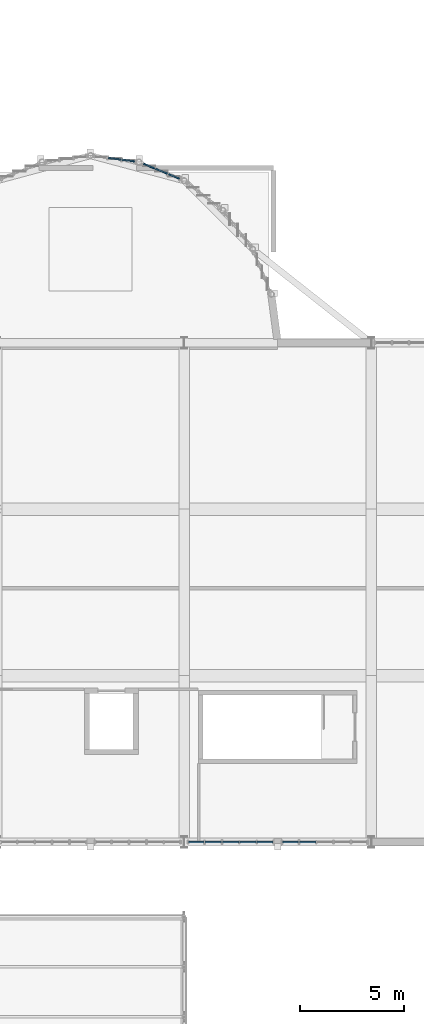
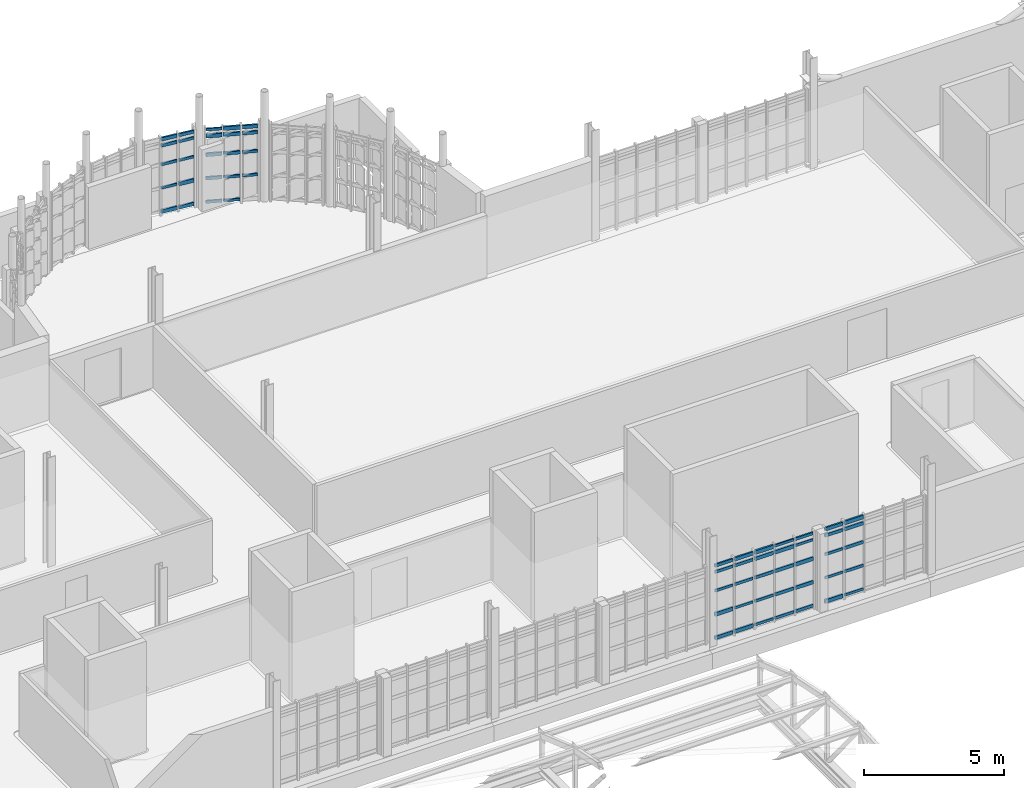
# One storey, part 67 of 128: 59 members, 4 elements without a shape of their own.
"""IFC4 building model written with IfcOpenShell, lengths in metres."""

from ifc_helpers import new_model, si_unit, direction, frame, origin, origin_2d, place, context, subcontext, project, spatial, rectangle, extrude, material, material_profile, profile_set, type_object, element, aggregate, save


model = new_model("IFC4")

# Units and contexts
model_context = context("Model", 3, precision=1e-05, world=origin(), true_north=direction((0.0, 1.0)))
body_context = subcontext(model_context, "Body", "Model", "MODEL_VIEW")
ifc_project = project(units=[si_unit("LENGTHUNIT", "METRE"), si_unit("AREAUNIT", "SQUARE_METRE"), si_unit("VOLUMEUNIT", "CUBIC_METRE"), si_unit("PLANEANGLEUNIT", "RADIAN"), si_unit("MASSUNIT", "GRAM", prefix="KILO")], contexts=[model_context])

# Site, building, storey
site_placement = place(None, origin())
site = spatial("IfcSite", under=ifc_project, at=site_placement, CompositionType="ELEMENT")
building_placement = place(site_placement, origin())
building = spatial("IfcBuilding", under=site, at=building_placement, Name="Serraforn Aerial Cableway Station", CompositionType="ELEMENT")
storey_placement = place(building_placement, frame((0.0, 0.0, 9.0)))
storey = spatial("IfcBuildingStorey", under=building, at=storey_placement, Name="L02", CompositionType="ELEMENT", Elevation=9.0)

# Curtain wall, members
ifc_material_1 = material(Name="Anodised bronze unitised curtain wall")
curtain_wall_type_1 = type_object("IfcCurtainWallType", Name="CW-SYS-23", PredefinedType="USERDEFINED", material=ifc_material_1)
curtain_wall_1_placement = place(storey_placement, origin())
curtain_wall_1 = element("IfcCurtainWall", 1, at=curtain_wall_1_placement, inside=storey, type_object=curtain_wall_type_1, Name="Unitised Curtain Wall CW-CV-L02-S5A", ObjectType="UNITISED CURTAIN WALL", PredefinedType="USERDEFINED")
ifc_material_2 = material(Name="Anodised bronze extruded aluminium", Category="aluminium")
ifc_material_profile_1 = material_profile(ifc_material_2, rectangle(XDim=0.054931640625, YDim=0.110107421875, at=origin_2d()), Name="CW TRANSOM 55x110")
ifc_profile_set_1 = profile_set([ifc_material_profile_1], Name="Anodised bronze extruded aluminium")
member_type_1 = type_object("IfcMemberType", Name="CW-TRN-1", PredefinedType="USERDEFINED", material=ifc_profile_set_1)
member_1_placement = place(storey_placement, frame((63.81103515625, 18.0, 2.188720703125), z_axis=(1.0, 0.0, 0.0), x_axis=(0.0, 1.0, 0.0)))
member_1 = element("IfcMember", 2, at=member_1_placement, type_object=member_type_1, Name="Curtain Wall Transom CW-CV-L02-S5A-T1-3", ObjectType="TRANSOM", PredefinedType="USERDEFINED", context=body_context, shape_type="SweptSolid", body=[
    extrude(rectangle(XDim=0.054931640625, YDim=0.110107421875, at=origin_2d()), origin(), (0.0, 0.0, 1.0), 0.73828125),
])
member_2_placement = place(storey_placement, frame((64.615478515625, 18.0, 1.162841796875), z_axis=(1.0, 0.0, 0.0), x_axis=(0.0, 1.0, 0.0)))
member_2 = element("IfcMember", 3, at=member_2_placement, type_object=member_type_1, Name="Curtain Wall Transom CW-CV-L02-S5A-T2-2", ObjectType="TRANSOM", PredefinedType="USERDEFINED", context=body_context, shape_type="SweptSolid", body=[
    extrude(rectangle(XDim=0.054931640625, YDim=0.110107421875, at=origin_2d()), origin(), (0.0, 0.0, 1.0), 0.765869140625),
])
member_3_placement = place(storey_placement, frame((65.452392578125, 18.0, 0.13671875), z_axis=(1.0, 0.0, 0.0), x_axis=(0.0, 1.0, 0.0)))
member_3 = element("IfcMember", 4, at=member_3_placement, type_object=member_type_1, Name="Curtain Wall Transom CW-CV-L02-S5A-T3-1", ObjectType="TRANSOM", PredefinedType="USERDEFINED", context=body_context, shape_type="SweptSolid", body=[
    extrude(rectangle(XDim=0.054931640625, YDim=0.110107421875, at=origin_2d()), origin(), (0.0, 0.0, 1.0), 0.773193359375),
])
member_4_placement = place(storey_placement, frame((66.276611328125, 18.0, 3.283203125), z_axis=(1.0, 0.0, 0.0), x_axis=(0.0, 1.0, 0.0)))
member_4 = element("IfcMember", 5, at=member_4_placement, type_object=member_type_1, Name="Curtain Wall Transom CW-CV-L02-S5A-T4-5", ObjectType="TRANSOM", PredefinedType="USERDEFINED", context=body_context, shape_type="SweptSolid", body=[
    extrude(rectangle(XDim=0.054931640625, YDim=0.110107421875, at=origin_2d()), origin(), (0.0, 0.0, 1.0), 0.781005859375),
])
member_5_placement = place(storey_placement, frame((67.113525390625, 18.0, 3.009521484375), z_axis=(1.0, 0.0, 0.0), x_axis=(0.0, 1.0, 0.0)))
member_5 = element("IfcMember", 6, at=member_5_placement, type_object=member_type_1, Name="Curtain Wall Transom CW-CV-L02-S5A-T5-4", ObjectType="TRANSOM", PredefinedType="USERDEFINED", context=body_context, shape_type="SweptSolid", body=[
    extrude(rectangle(XDim=0.054931640625, YDim=0.110107421875, at=origin_2d()), origin(), (0.0, 0.0, 1.0), 0.743408203125),
])

curtain_wall_type_2 = type_object("IfcCurtainWallType", Name="CW-SYS-24", PredefinedType="USERDEFINED", material=ifc_material_1)
curtain_wall_2_placement = place(storey_placement, origin())
curtain_wall_2 = element("IfcCurtainWall", 7, at=curtain_wall_2_placement, inside=storey, type_object=curtain_wall_type_2, Name="Unitised Curtain Wall CW-CV-L02-S5B", ObjectType="UNITISED CURTAIN WALL", PredefinedType="USERDEFINED")
member_6_placement = place(storey_placement, frame((68.347900390625, 18.0, 1.162841796875), z_axis=(1.0, 0.0, 0.0), x_axis=(0.0, 1.0, 0.0)))
member_6 = element("IfcMember", 8, at=member_6_placement, type_object=member_type_1, Name="Curtain Wall Transom CW-CV-L02-S5B-T1-2", ObjectType="TRANSOM", PredefinedType="USERDEFINED", context=body_context, shape_type="SweptSolid", body=[
    extrude(rectangle(XDim=0.054931640625, YDim=0.110107421875, at=origin_2d()), origin(), (0.0, 0.0, 1.0), 0.73095703125),
])
member_7_placement = place(storey_placement, frame((69.14990234375, 18.0, 0.13671875), z_axis=(1.0, 0.0, 0.0), x_axis=(0.0, 1.0, 0.0)))
member_7 = element("IfcMember", 9, at=member_7_placement, type_object=member_type_1, Name="Curtain Wall Transom CW-CV-L02-S5B-T2-1", ObjectType="TRANSOM", PredefinedType="USERDEFINED", context=body_context, shape_type="SweptSolid", body=[
    extrude(rectangle(XDim=0.054931640625, YDim=0.110107421875, at=origin_2d()), origin(), (0.0, 0.0, 1.0), 0.7734375),
])

curtain_wall_type_3 = type_object("IfcCurtainWallType", Name="CW-SYS-10", PredefinedType="USERDEFINED", material=ifc_material_1)
curtain_wall_3_placement = place(storey_placement, origin())
curtain_wall_3 = element("IfcCurtainWall", 10, at=curtain_wall_3_placement, inside=storey, type_object=curtain_wall_type_3, Name="Unitised Curtain Wall CW-AP-L02-R7", ObjectType="UNITISED CURTAIN WALL", PredefinedType="USERDEFINED")
member_8_placement = place(storey_placement, frame((61.217041015625, 50.72119140625, 2.188720703125), z_axis=(-0.991415987293, 0.130745325498, 0.0), x_axis=(-0.130745325498, -0.991415987293, 0.0)))
member_8 = element("IfcMember", 11, at=member_8_placement, type_object=member_type_1, Name="Curtain Wall Transom CW-AP-L02-R7-T1-3", ObjectType="TRANSOM", PredefinedType="USERDEFINED", context=body_context, shape_type="SweptSolid", body=[
    extrude(rectangle(XDim=0.054931640625, YDim=0.110107421875, at=origin_2d()), origin(), (0.0, 0.0, 1.0), 0.58642578125),
])
member_9_placement = place(storey_placement, frame((60.5703125, 50.806396484375, 1.162841796875), z_axis=(-0.991404140861, 0.130835123282, 0.0), x_axis=(-0.130835123282, -0.991404140861, 0.0)))
member_9 = element("IfcMember", 12, at=member_9_placement, type_object=member_type_1, Name="Curtain Wall Transom CW-AP-L02-R7-T2-2", ObjectType="TRANSOM", PredefinedType="USERDEFINED", context=body_context, shape_type="SweptSolid", body=[
    extrude(rectangle(XDim=0.054931640625, YDim=0.110107421875, at=origin_2d()), origin(), (0.0, 0.0, 1.0), 0.614013671875),
])

curtain_wall_type_4 = type_object("IfcCurtainWallType", Name="CW-SYS-11", PredefinedType="USERDEFINED", material=ifc_material_1)
curtain_wall_4_placement = place(storey_placement, origin())
curtain_wall_4 = element("IfcCurtainWall", 13, at=curtain_wall_4_placement, inside=storey, type_object=curtain_wall_type_4, Name="Unitised Curtain Wall CW-AP-L02-R8", ObjectType="UNITISED CURTAIN WALL", PredefinedType="USERDEFINED")
member_10_placement = place(storey_placement, frame((63.374267578125, 49.8876953125, 1.162841796875), z_axis=(-0.923884484618, 0.382671476703, 0.0), x_axis=(-0.382671476703, -0.923884484618, 0.0)))
member_10 = element("IfcMember", 14, at=member_10_placement, type_object=member_type_1, Name="Curtain Wall Transom CW-AP-L02-R8-T1-2", ObjectType="TRANSOM", PredefinedType="USERDEFINED", context=body_context, shape_type="SweptSolid", body=[
    extrude(rectangle(XDim=0.054931640625, YDim=0.110107421875, at=origin_2d()), origin(), (0.0, 0.0, 1.0), 0.56201171875),
])
member_11_placement = place(storey_placement, frame((62.789306640625, 50.1298828125, 0.13671875), z_axis=(-0.923839645741, 0.382779713358, 0.0), x_axis=(-0.382779713358, -0.923839645741, 0.0)))
member_11 = element("IfcMember", 15, at=member_11_placement, type_object=member_type_1, Name="Curtain Wall Transom CW-AP-L02-R8-T2-1", ObjectType="TRANSOM", PredefinedType="USERDEFINED", context=body_context, shape_type="SweptSolid", body=[
    extrude(rectangle(XDim=0.054931640625, YDim=0.110107421875, at=origin_2d()), origin(), (0.0, 0.0, 1.0), 0.604736328125),
])
member_12_placement = place(storey_placement, frame((62.18359375, 50.380859375, 3.283203125), z_axis=(-0.923894108428, 0.382648241093, 0.0), x_axis=(-0.382648241093, -0.923894108428, 0.0)))
member_12 = element("IfcMember", 16, at=member_12_placement, type_object=member_type_1, Name="Curtain Wall Transom CW-AP-L02-R8-T3-5", ObjectType="TRANSOM", PredefinedType="USERDEFINED", context=body_context, shape_type="SweptSolid", body=[
    extrude(rectangle(XDim=0.054931640625, YDim=0.110107421875, at=origin_2d()), origin(), (0.0, 0.0, 1.0), 0.581787109375),
])

# Member
ifc_material_profile_2 = material_profile(ifc_material_2, rectangle(XDim=0.06005859375, YDim=0.1201171875, at=origin_2d()), Name="CW TRANSOM 60x120")
ifc_profile_set_2 = profile_set([ifc_material_profile_2], Name="Anodised bronze extruded aluminium")
member_type_2 = type_object("IfcMemberType", Name="CW-TRN-2", PredefinedType="USERDEFINED", material=ifc_profile_set_2)
member_13_placement = place(storey_placement, frame((63.81103515625, 18.0, 3.009521484375), z_axis=(1.0, 0.0, 0.0), x_axis=(0.0, 1.0, 0.0)))
member_13 = element("IfcMember", 17, at=member_13_placement, type_object=member_type_2, Name="Curtain Wall Transom CW-CV-L02-S5A-T1-4", ObjectType="TRANSOM", PredefinedType="USERDEFINED", context=body_context, shape_type="SweptSolid", body=[
    extrude(rectangle(XDim=0.06005859375, YDim=0.1201171875, at=origin_2d()), origin(), (0.0, 0.0, 1.0), 0.73828125),
])

member_14_placement = place(storey_placement, frame((64.615478515625, 18.0, 2.188720703125), z_axis=(1.0, 0.0, 0.0), x_axis=(0.0, 1.0, 0.0)))
member_14 = element("IfcMember", 18, at=member_14_placement, type_object=member_type_2, Name="Curtain Wall Transom CW-CV-L02-S5A-T2-3", ObjectType="TRANSOM", PredefinedType="USERDEFINED", context=body_context, shape_type="SweptSolid", body=[
    extrude(rectangle(XDim=0.06005859375, YDim=0.1201171875, at=origin_2d()), origin(), (0.0, 0.0, 1.0), 0.765869140625),
])

member_15_placement = place(storey_placement, frame((65.452392578125, 18.0, 1.162841796875), z_axis=(1.0, 0.0, 0.0), x_axis=(0.0, 1.0, 0.0)))
member_15 = element("IfcMember", 19, at=member_15_placement, type_object=member_type_2, Name="Curtain Wall Transom CW-CV-L02-S5A-T3-2", ObjectType="TRANSOM", PredefinedType="USERDEFINED", context=body_context, shape_type="SweptSolid", body=[
    extrude(rectangle(XDim=0.06005859375, YDim=0.1201171875, at=origin_2d()), origin(), (0.0, 0.0, 1.0), 0.773193359375),
])

member_16_placement = place(storey_placement, frame((66.276611328125, 18.0, 0.13671875), z_axis=(1.0, 0.0, 0.0), x_axis=(0.0, 1.0, 0.0)))
member_16 = element("IfcMember", 20, at=member_16_placement, type_object=member_type_2, Name="Curtain Wall Transom CW-CV-L02-S5A-T4-1", ObjectType="TRANSOM", PredefinedType="USERDEFINED", context=body_context, shape_type="SweptSolid", body=[
    extrude(rectangle(XDim=0.06005859375, YDim=0.1201171875, at=origin_2d()), origin(), (0.0, 0.0, 1.0), 0.781005859375),
])

member_17_placement = place(storey_placement, frame((67.113525390625, 18.0, 3.283203125), z_axis=(1.0, 0.0, 0.0), x_axis=(0.0, 1.0, 0.0)))
member_17 = element("IfcMember", 21, at=member_17_placement, type_object=member_type_2, Name="Curtain Wall Transom CW-CV-L02-S5A-T5-5", ObjectType="TRANSOM", PredefinedType="USERDEFINED", context=body_context, shape_type="SweptSolid", body=[
    extrude(rectangle(XDim=0.06005859375, YDim=0.1201171875, at=origin_2d()), origin(), (0.0, 0.0, 1.0), 0.743408203125),
])

member_18_placement = place(storey_placement, frame((68.347900390625, 18.0, 2.188720703125), z_axis=(1.0, 0.0, 0.0), x_axis=(0.0, 1.0, 0.0)))
member_18 = element("IfcMember", 22, at=member_18_placement, type_object=member_type_2, Name="Curtain Wall Transom CW-CV-L02-S5B-T1-3", ObjectType="TRANSOM", PredefinedType="USERDEFINED", context=body_context, shape_type="SweptSolid", body=[
    extrude(rectangle(XDim=0.06005859375, YDim=0.1201171875, at=origin_2d()), origin(), (0.0, 0.0, 1.0), 0.73095703125),
])

member_19_placement = place(storey_placement, frame((69.14990234375, 18.0, 1.162841796875), z_axis=(1.0, 0.0, 0.0), x_axis=(0.0, 1.0, 0.0)))
member_19 = element("IfcMember", 23, at=member_19_placement, type_object=member_type_2, Name="Curtain Wall Transom CW-CV-L02-S5B-T2-2", ObjectType="TRANSOM", PredefinedType="USERDEFINED", context=body_context, shape_type="SweptSolid", body=[
    extrude(rectangle(XDim=0.06005859375, YDim=0.1201171875, at=origin_2d()), origin(), (0.0, 0.0, 1.0), 0.7734375),
])

member_20_placement = place(storey_placement, frame((61.217041015625, 50.72119140625, 3.009521484375), z_axis=(-0.991415987293, 0.130745325498, 0.0), x_axis=(-0.130745325498, -0.991415987293, 0.0)))
member_20 = element("IfcMember", 24, at=member_20_placement, type_object=member_type_2, Name="Curtain Wall Transom CW-AP-L02-R7-T1-4", ObjectType="TRANSOM", PredefinedType="USERDEFINED", context=body_context, shape_type="SweptSolid", body=[
    extrude(rectangle(XDim=0.06005859375, YDim=0.1201171875, at=origin_2d()), origin(), (0.0, 0.0, 1.0), 0.58642578125),
])

member_21_placement = place(storey_placement, frame((60.5703125, 50.806396484375, 2.188720703125), z_axis=(-0.991404140861, 0.130835123282, 0.0), x_axis=(-0.130835123282, -0.991404140861, 0.0)))
member_21 = element("IfcMember", 25, at=member_21_placement, type_object=member_type_2, Name="Curtain Wall Transom CW-AP-L02-R7-T2-3", ObjectType="TRANSOM", PredefinedType="USERDEFINED", context=body_context, shape_type="SweptSolid", body=[
    extrude(rectangle(XDim=0.06005859375, YDim=0.1201171875, at=origin_2d()), origin(), (0.0, 0.0, 1.0), 0.614013671875),
])

member_22_placement = place(storey_placement, frame((63.374267578125, 49.8876953125, 2.188720703125), z_axis=(-0.923884484618, 0.382671476703, 0.0), x_axis=(-0.382671476703, -0.923884484618, 0.0)))
member_22 = element("IfcMember", 26, at=member_22_placement, type_object=member_type_2, Name="Curtain Wall Transom CW-AP-L02-R8-T1-3", ObjectType="TRANSOM", PredefinedType="USERDEFINED", context=body_context, shape_type="SweptSolid", body=[
    extrude(rectangle(XDim=0.06005859375, YDim=0.1201171875, at=origin_2d()), origin(), (0.0, 0.0, 1.0), 0.56201171875),
])

member_23_placement = place(storey_placement, frame((62.789306640625, 50.1298828125, 1.162841796875), z_axis=(-0.923839645741, 0.382779713358, 0.0), x_axis=(-0.382779713358, -0.923839645741, 0.0)))
member_23 = element("IfcMember", 27, at=member_23_placement, type_object=member_type_2, Name="Curtain Wall Transom CW-AP-L02-R8-T2-2", ObjectType="TRANSOM", PredefinedType="USERDEFINED", context=body_context, shape_type="SweptSolid", body=[
    extrude(rectangle(XDim=0.06005859375, YDim=0.1201171875, at=origin_2d()), origin(), (0.0, 0.0, 1.0), 0.604736328125),
])

member_24_placement = place(storey_placement, frame((62.18359375, 50.380859375, 0.13671875), z_axis=(-0.923894108428, 0.382648241093, 0.0), x_axis=(-0.382648241093, -0.923894108428, 0.0)))
member_24 = element("IfcMember", 28, at=member_24_placement, type_object=member_type_2, Name="Curtain Wall Transom CW-AP-L02-R8-T3-1", ObjectType="TRANSOM", PredefinedType="USERDEFINED", context=body_context, shape_type="SweptSolid", body=[
    extrude(rectangle(XDim=0.06005859375, YDim=0.1201171875, at=origin_2d()), origin(), (0.0, 0.0, 1.0), 0.581787109375),
])

ifc_material_profile_3 = material_profile(ifc_material_2, rectangle(XDim=0.06494140625, YDim=0.135009765625, at=origin_2d()), Name="CW TRANSOM 65x135")
ifc_profile_set_3 = profile_set([ifc_material_profile_3], Name="Anodised bronze extruded aluminium")
member_type_3 = type_object("IfcMemberType", Name="CW-TRN-3", PredefinedType="USERDEFINED", material=ifc_profile_set_3)
member_25_placement = place(storey_placement, frame((63.81103515625, 18.0, 3.283203125), z_axis=(1.0, 0.0, 0.0), x_axis=(0.0, 1.0, 0.0)))
member_25 = element("IfcMember", 29, at=member_25_placement, type_object=member_type_3, Name="Curtain Wall Transom CW-CV-L02-S5A-T1-5", ObjectType="TRANSOM", PredefinedType="USERDEFINED", context=body_context, shape_type="SweptSolid", body=[
    extrude(rectangle(XDim=0.06494140625, YDim=0.135009765625, at=origin_2d()), origin(), (0.0, 0.0, 1.0), 0.73828125),
])

member_26_placement = place(storey_placement, frame((64.615478515625, 18.0, 3.009521484375), z_axis=(1.0, 0.0, 0.0), x_axis=(0.0, 1.0, 0.0)))
member_26 = element("IfcMember", 30, at=member_26_placement, type_object=member_type_3, Name="Curtain Wall Transom CW-CV-L02-S5A-T2-4", ObjectType="TRANSOM", PredefinedType="USERDEFINED", context=body_context, shape_type="SweptSolid", body=[
    extrude(rectangle(XDim=0.06494140625, YDim=0.135009765625, at=origin_2d()), origin(), (0.0, 0.0, 1.0), 0.765869140625),
])

member_27_placement = place(storey_placement, frame((65.452392578125, 18.0, 2.188720703125), z_axis=(1.0, 0.0, 0.0), x_axis=(0.0, 1.0, 0.0)))
member_27 = element("IfcMember", 31, at=member_27_placement, type_object=member_type_3, Name="Curtain Wall Transom CW-CV-L02-S5A-T3-3", ObjectType="TRANSOM", PredefinedType="USERDEFINED", context=body_context, shape_type="SweptSolid", body=[
    extrude(rectangle(XDim=0.06494140625, YDim=0.135009765625, at=origin_2d()), origin(), (0.0, 0.0, 1.0), 0.773193359375),
])

member_28_placement = place(storey_placement, frame((66.276611328125, 18.0, 1.162841796875), z_axis=(1.0, 0.0, 0.0), x_axis=(0.0, 1.0, 0.0)))
member_28 = element("IfcMember", 32, at=member_28_placement, type_object=member_type_3, Name="Curtain Wall Transom CW-CV-L02-S5A-T4-2", ObjectType="TRANSOM", PredefinedType="USERDEFINED", context=body_context, shape_type="SweptSolid", body=[
    extrude(rectangle(XDim=0.06494140625, YDim=0.135009765625, at=origin_2d()), origin(), (0.0, 0.0, 1.0), 0.781005859375),
])

member_29_placement = place(storey_placement, frame((67.113525390625, 18.0, 0.13671875), z_axis=(1.0, 0.0, 0.0), x_axis=(0.0, 1.0, 0.0)))
member_29 = element("IfcMember", 33, at=member_29_placement, type_object=member_type_3, Name="Curtain Wall Transom CW-CV-L02-S5A-T5-1", ObjectType="TRANSOM", PredefinedType="USERDEFINED", context=body_context, shape_type="SweptSolid", body=[
    extrude(rectangle(XDim=0.06494140625, YDim=0.135009765625, at=origin_2d()), origin(), (0.0, 0.0, 1.0), 0.743408203125),
])

member_30_placement = place(storey_placement, frame((68.347900390625, 18.0, 3.009521484375), z_axis=(1.0, 0.0, 0.0), x_axis=(0.0, 1.0, 0.0)))
member_30 = element("IfcMember", 34, at=member_30_placement, type_object=member_type_3, Name="Curtain Wall Transom CW-CV-L02-S5B-T1-4", ObjectType="TRANSOM", PredefinedType="USERDEFINED", context=body_context, shape_type="SweptSolid", body=[
    extrude(rectangle(XDim=0.06494140625, YDim=0.135009765625, at=origin_2d()), origin(), (0.0, 0.0, 1.0), 0.73095703125),
])

member_31_placement = place(storey_placement, frame((69.14990234375, 18.0, 2.188720703125), z_axis=(1.0, 0.0, 0.0), x_axis=(0.0, 1.0, 0.0)))
member_31 = element("IfcMember", 35, at=member_31_placement, type_object=member_type_3, Name="Curtain Wall Transom CW-CV-L02-S5B-T2-3", ObjectType="TRANSOM", PredefinedType="USERDEFINED", context=body_context, shape_type="SweptSolid", body=[
    extrude(rectangle(XDim=0.06494140625, YDim=0.135009765625, at=origin_2d()), origin(), (0.0, 0.0, 1.0), 0.7734375),
])

member_32_placement = place(storey_placement, frame((61.217041015625, 50.72119140625, 3.283203125), z_axis=(-0.991415987293, 0.130745325498, 0.0), x_axis=(-0.130745325498, -0.991415987293, 0.0)))
member_32 = element("IfcMember", 36, at=member_32_placement, type_object=member_type_3, Name="Curtain Wall Transom CW-AP-L02-R7-T1-5", ObjectType="TRANSOM", PredefinedType="USERDEFINED", context=body_context, shape_type="SweptSolid", body=[
    extrude(rectangle(XDim=0.06494140625, YDim=0.135009765625, at=origin_2d()), origin(), (0.0, 0.0, 1.0), 0.58642578125),
])

member_33_placement = place(storey_placement, frame((60.5703125, 50.806396484375, 3.009521484375), z_axis=(-0.991404140861, 0.130835123282, 0.0), x_axis=(-0.130835123282, -0.991404140861, 0.0)))
member_33 = element("IfcMember", 37, at=member_33_placement, type_object=member_type_3, Name="Curtain Wall Transom CW-AP-L02-R7-T2-4", ObjectType="TRANSOM", PredefinedType="USERDEFINED", context=body_context, shape_type="SweptSolid", body=[
    extrude(rectangle(XDim=0.06494140625, YDim=0.135009765625, at=origin_2d()), origin(), (0.0, 0.0, 1.0), 0.614013671875),
])

member_34_placement = place(storey_placement, frame((63.374267578125, 49.8876953125, 3.009521484375), z_axis=(-0.923884484618, 0.382671476703, 0.0), x_axis=(-0.382671476703, -0.923884484618, 0.0)))
member_34 = element("IfcMember", 38, at=member_34_placement, type_object=member_type_3, Name="Curtain Wall Transom CW-AP-L02-R8-T1-4", ObjectType="TRANSOM", PredefinedType="USERDEFINED", context=body_context, shape_type="SweptSolid", body=[
    extrude(rectangle(XDim=0.06494140625, YDim=0.135009765625, at=origin_2d()), origin(), (0.0, 0.0, 1.0), 0.56201171875),
])

member_35_placement = place(storey_placement, frame((62.789306640625, 50.1298828125, 2.188720703125), z_axis=(-0.923839645741, 0.382779713358, 0.0), x_axis=(-0.382779713358, -0.923839645741, 0.0)))
member_35 = element("IfcMember", 39, at=member_35_placement, type_object=member_type_3, Name="Curtain Wall Transom CW-AP-L02-R8-T2-3", ObjectType="TRANSOM", PredefinedType="USERDEFINED", context=body_context, shape_type="SweptSolid", body=[
    extrude(rectangle(XDim=0.06494140625, YDim=0.135009765625, at=origin_2d()), origin(), (0.0, 0.0, 1.0), 0.604736328125),
])

member_36_placement = place(storey_placement, frame((62.18359375, 50.380859375, 1.162841796875), z_axis=(-0.923894108428, 0.382648241093, 0.0), x_axis=(-0.382648241093, -0.923894108428, 0.0)))
member_36 = element("IfcMember", 40, at=member_36_placement, type_object=member_type_3, Name="Curtain Wall Transom CW-AP-L02-R8-T3-2", ObjectType="TRANSOM", PredefinedType="USERDEFINED", context=body_context, shape_type="SweptSolid", body=[
    extrude(rectangle(XDim=0.06494140625, YDim=0.135009765625, at=origin_2d()), origin(), (0.0, 0.0, 1.0), 0.581787109375),
])

ifc_material_profile_4 = material_profile(ifc_material_2, rectangle(XDim=0.070068359375, YDim=0.14990234375, at=origin_2d()), Name="CW TRANSOM 70x150")
ifc_profile_set_4 = profile_set([ifc_material_profile_4], Name="Anodised bronze extruded aluminium")
member_type_4 = type_object("IfcMemberType", Name="CW-TRN-4", PredefinedType="USERDEFINED", material=ifc_profile_set_4)
member_37_placement = place(storey_placement, frame((63.81103515625, 18.0, 0.13671875), z_axis=(1.0, 0.0, 0.0), x_axis=(0.0, 1.0, 0.0)))
member_37 = element("IfcMember", 41, at=member_37_placement, type_object=member_type_4, Name="Curtain Wall Transom CW-CV-L02-S5A-T1-1", ObjectType="TRANSOM", PredefinedType="USERDEFINED", context=body_context, shape_type="SweptSolid", body=[
    extrude(rectangle(XDim=0.070068359375, YDim=0.14990234375, at=origin_2d()), origin(), (0.0, 0.0, 1.0), 0.73828125),
])

member_38_placement = place(storey_placement, frame((64.615478515625, 18.0, 3.283203125), z_axis=(1.0, 0.0, 0.0), x_axis=(0.0, 1.0, 0.0)))
member_38 = element("IfcMember", 42, at=member_38_placement, type_object=member_type_4, Name="Curtain Wall Transom CW-CV-L02-S5A-T2-5", ObjectType="TRANSOM", PredefinedType="USERDEFINED", context=body_context, shape_type="SweptSolid", body=[
    extrude(rectangle(XDim=0.070068359375, YDim=0.14990234375, at=origin_2d()), origin(), (0.0, 0.0, 1.0), 0.765869140625),
])

member_39_placement = place(storey_placement, frame((65.452392578125, 18.0, 3.009521484375), z_axis=(1.0, 0.0, 0.0), x_axis=(0.0, 1.0, 0.0)))
member_39 = element("IfcMember", 43, at=member_39_placement, type_object=member_type_4, Name="Curtain Wall Transom CW-CV-L02-S5A-T3-4", ObjectType="TRANSOM", PredefinedType="USERDEFINED", context=body_context, shape_type="SweptSolid", body=[
    extrude(rectangle(XDim=0.070068359375, YDim=0.14990234375, at=origin_2d()), origin(), (0.0, 0.0, 1.0), 0.773193359375),
])

member_40_placement = place(storey_placement, frame((66.276611328125, 18.0, 2.188720703125), z_axis=(1.0, 0.0, 0.0), x_axis=(0.0, 1.0, 0.0)))
member_40 = element("IfcMember", 44, at=member_40_placement, type_object=member_type_4, Name="Curtain Wall Transom CW-CV-L02-S5A-T4-3", ObjectType="TRANSOM", PredefinedType="USERDEFINED", context=body_context, shape_type="SweptSolid", body=[
    extrude(rectangle(XDim=0.070068359375, YDim=0.14990234375, at=origin_2d()), origin(), (0.0, 0.0, 1.0), 0.781005859375),
])

member_41_placement = place(storey_placement, frame((67.113525390625, 18.0, 1.162841796875), z_axis=(1.0, 0.0, 0.0), x_axis=(0.0, 1.0, 0.0)))
member_41 = element("IfcMember", 45, at=member_41_placement, type_object=member_type_4, Name="Curtain Wall Transom CW-CV-L02-S5A-T5-2", ObjectType="TRANSOM", PredefinedType="USERDEFINED", context=body_context, shape_type="SweptSolid", body=[
    extrude(rectangle(XDim=0.070068359375, YDim=0.14990234375, at=origin_2d()), origin(), (0.0, 0.0, 1.0), 0.743408203125),
])

member_42_placement = place(storey_placement, frame((68.347900390625, 18.0, 3.283203125), z_axis=(1.0, 0.0, 0.0), x_axis=(0.0, 1.0, 0.0)))
member_42 = element("IfcMember", 46, at=member_42_placement, type_object=member_type_4, Name="Curtain Wall Transom CW-CV-L02-S5B-T1-5", ObjectType="TRANSOM", PredefinedType="USERDEFINED", context=body_context, shape_type="SweptSolid", body=[
    extrude(rectangle(XDim=0.070068359375, YDim=0.14990234375, at=origin_2d()), origin(), (0.0, 0.0, 1.0), 0.73095703125),
])

member_43_placement = place(storey_placement, frame((69.14990234375, 18.0, 3.009521484375), z_axis=(1.0, 0.0, 0.0), x_axis=(0.0, 1.0, 0.0)))
member_43 = element("IfcMember", 47, at=member_43_placement, type_object=member_type_4, Name="Curtain Wall Transom CW-CV-L02-S5B-T2-4", ObjectType="TRANSOM", PredefinedType="USERDEFINED", context=body_context, shape_type="SweptSolid", body=[
    extrude(rectangle(XDim=0.070068359375, YDim=0.14990234375, at=origin_2d()), origin(), (0.0, 0.0, 1.0), 0.7734375),
])

member_44_placement = place(storey_placement, frame((61.217041015625, 50.72119140625, 0.13671875), z_axis=(-0.991415987293, 0.130745325498, 0.0), x_axis=(-0.130745325498, -0.991415987293, 0.0)))
member_44 = element("IfcMember", 48, at=member_44_placement, type_object=member_type_4, Name="Curtain Wall Transom CW-AP-L02-R7-T1-1", ObjectType="TRANSOM", PredefinedType="USERDEFINED", context=body_context, shape_type="SweptSolid", body=[
    extrude(rectangle(XDim=0.070068359375, YDim=0.14990234375, at=origin_2d()), origin(), (0.0, 0.0, 1.0), 0.58642578125),
])

member_45_placement = place(storey_placement, frame((60.5703125, 50.806396484375, 3.283203125), z_axis=(-0.991404140861, 0.130835123282, 0.0), x_axis=(-0.130835123282, -0.991404140861, 0.0)))
member_45 = element("IfcMember", 49, at=member_45_placement, type_object=member_type_4, Name="Curtain Wall Transom CW-AP-L02-R7-T2-5", ObjectType="TRANSOM", PredefinedType="USERDEFINED", context=body_context, shape_type="SweptSolid", body=[
    extrude(rectangle(XDim=0.070068359375, YDim=0.14990234375, at=origin_2d()), origin(), (0.0, 0.0, 1.0), 0.614013671875),
])

member_46_placement = place(storey_placement, frame((63.374267578125, 49.8876953125, 3.283203125), z_axis=(-0.923884484618, 0.382671476703, 0.0), x_axis=(-0.382671476703, -0.923884484618, 0.0)))
member_46 = element("IfcMember", 50, at=member_46_placement, type_object=member_type_4, Name="Curtain Wall Transom CW-AP-L02-R8-T1-5", ObjectType="TRANSOM", PredefinedType="USERDEFINED", context=body_context, shape_type="SweptSolid", body=[
    extrude(rectangle(XDim=0.070068359375, YDim=0.14990234375, at=origin_2d()), origin(), (0.0, 0.0, 1.0), 0.56201171875),
])

member_47_placement = place(storey_placement, frame((62.789306640625, 50.1298828125, 3.009521484375), z_axis=(-0.923839645741, 0.382779713358, 0.0), x_axis=(-0.382779713358, -0.923839645741, 0.0)))
member_47 = element("IfcMember", 51, at=member_47_placement, type_object=member_type_4, Name="Curtain Wall Transom CW-AP-L02-R8-T2-4", ObjectType="TRANSOM", PredefinedType="USERDEFINED", context=body_context, shape_type="SweptSolid", body=[
    extrude(rectangle(XDim=0.070068359375, YDim=0.14990234375, at=origin_2d()), origin(), (0.0, 0.0, 1.0), 0.604736328125),
])

member_48_placement = place(storey_placement, frame((62.18359375, 50.380859375, 2.188720703125), z_axis=(-0.923894108428, 0.382648241093, 0.0), x_axis=(-0.382648241093, -0.923894108428, 0.0)))
member_48 = element("IfcMember", 52, at=member_48_placement, type_object=member_type_4, Name="Curtain Wall Transom CW-AP-L02-R8-T3-3", ObjectType="TRANSOM", PredefinedType="USERDEFINED", context=body_context, shape_type="SweptSolid", body=[
    extrude(rectangle(XDim=0.070068359375, YDim=0.14990234375, at=origin_2d()), origin(), (0.0, 0.0, 1.0), 0.581787109375),
])

ifc_material_profile_5 = material_profile(ifc_material_2, rectangle(XDim=0.074951171875, YDim=0.1650390625, at=origin_2d()), Name="CW TRANSOM 75x165")
ifc_profile_set_5 = profile_set([ifc_material_profile_5], Name="Anodised bronze extruded aluminium")
member_type_5 = type_object("IfcMemberType", Name="CW-TRN-5", PredefinedType="USERDEFINED", material=ifc_profile_set_5)
member_49_placement = place(storey_placement, frame((63.81103515625, 18.0, 1.162841796875), z_axis=(1.0, 0.0, 0.0), x_axis=(0.0, 1.0, 0.0)))
member_49 = element("IfcMember", 53, at=member_49_placement, type_object=member_type_5, Name="Curtain Wall Transom CW-CV-L02-S5A-T1-2", ObjectType="TRANSOM", PredefinedType="USERDEFINED", context=body_context, shape_type="SweptSolid", body=[
    extrude(rectangle(XDim=0.074951171875, YDim=0.1650390625, at=origin_2d()), origin(), (0.0, 0.0, 1.0), 0.73828125),
])

member_50_placement = place(storey_placement, frame((64.615478515625, 18.0, 0.13671875), z_axis=(1.0, 0.0, 0.0), x_axis=(0.0, 1.0, 0.0)))
member_50 = element("IfcMember", 54, at=member_50_placement, type_object=member_type_5, Name="Curtain Wall Transom CW-CV-L02-S5A-T2-1", ObjectType="TRANSOM", PredefinedType="USERDEFINED", context=body_context, shape_type="SweptSolid", body=[
    extrude(rectangle(XDim=0.074951171875, YDim=0.1650390625, at=origin_2d()), origin(), (0.0, 0.0, 1.0), 0.765869140625),
])

member_51_placement = place(storey_placement, frame((65.452392578125, 18.0, 3.283203125), z_axis=(1.0, 0.0, 0.0), x_axis=(0.0, 1.0, 0.0)))
member_51 = element("IfcMember", 55, at=member_51_placement, type_object=member_type_5, Name="Curtain Wall Transom CW-CV-L02-S5A-T3-5", ObjectType="TRANSOM", PredefinedType="USERDEFINED", context=body_context, shape_type="SweptSolid", body=[
    extrude(rectangle(XDim=0.074951171875, YDim=0.1650390625, at=origin_2d()), origin(), (0.0, 0.0, 1.0), 0.773193359375),
])

member_52_placement = place(storey_placement, frame((66.276611328125, 18.0, 3.009521484375), z_axis=(1.0, 0.0, 0.0), x_axis=(0.0, 1.0, 0.0)))
member_52 = element("IfcMember", 56, at=member_52_placement, type_object=member_type_5, Name="Curtain Wall Transom CW-CV-L02-S5A-T4-4", ObjectType="TRANSOM", PredefinedType="USERDEFINED", context=body_context, shape_type="SweptSolid", body=[
    extrude(rectangle(XDim=0.074951171875, YDim=0.1650390625, at=origin_2d()), origin(), (0.0, 0.0, 1.0), 0.781005859375),
])

member_53_placement = place(storey_placement, frame((67.113525390625, 18.0, 2.188720703125), z_axis=(1.0, 0.0, 0.0), x_axis=(0.0, 1.0, 0.0)))
member_53 = element("IfcMember", 57, at=member_53_placement, type_object=member_type_5, Name="Curtain Wall Transom CW-CV-L02-S5A-T5-3", ObjectType="TRANSOM", PredefinedType="USERDEFINED", context=body_context, shape_type="SweptSolid", body=[
    extrude(rectangle(XDim=0.074951171875, YDim=0.1650390625, at=origin_2d()), origin(), (0.0, 0.0, 1.0), 0.743408203125),
])

aggregate(curtain_wall_1, [member_37, member_49, member_1, member_13, member_25, member_50, member_2, member_14, member_26, member_38, member_3, member_15, member_27, member_39, member_51, member_16, member_28, member_40, member_52, member_4, member_29, member_41, member_53, member_5, member_17])

member_54_placement = place(storey_placement, frame((68.347900390625, 18.0, 0.13671875), z_axis=(1.0, 0.0, 0.0), x_axis=(0.0, 1.0, 0.0)))
member_54 = element("IfcMember", 58, at=member_54_placement, type_object=member_type_5, Name="Curtain Wall Transom CW-CV-L02-S5B-T1-1", ObjectType="TRANSOM", PredefinedType="USERDEFINED", context=body_context, shape_type="SweptSolid", body=[
    extrude(rectangle(XDim=0.074951171875, YDim=0.1650390625, at=origin_2d()), origin(), (0.0, 0.0, 1.0), 0.73095703125),
])

member_55_placement = place(storey_placement, frame((69.14990234375, 18.0, 3.283203125), z_axis=(1.0, 0.0, 0.0), x_axis=(0.0, 1.0, 0.0)))
member_55 = element("IfcMember", 59, at=member_55_placement, type_object=member_type_5, Name="Curtain Wall Transom CW-CV-L02-S5B-T2-5", ObjectType="TRANSOM", PredefinedType="USERDEFINED", context=body_context, shape_type="SweptSolid", body=[
    extrude(rectangle(XDim=0.074951171875, YDim=0.1650390625, at=origin_2d()), origin(), (0.0, 0.0, 1.0), 0.7734375),
])

aggregate(curtain_wall_2, [member_54, member_6, member_18, member_30, member_42, member_7, member_19, member_31, member_43, member_55])

member_56_placement = place(storey_placement, frame((61.217041015625, 50.72119140625, 1.162841796875), z_axis=(-0.991415987293, 0.130745325498, 0.0), x_axis=(-0.130745325498, -0.991415987293, 0.0)))
member_56 = element("IfcMember", 60, at=member_56_placement, type_object=member_type_5, Name="Curtain Wall Transom CW-AP-L02-R7-T1-2", ObjectType="TRANSOM", PredefinedType="USERDEFINED", context=body_context, shape_type="SweptSolid", body=[
    extrude(rectangle(XDim=0.074951171875, YDim=0.1650390625, at=origin_2d()), origin(), (0.0, 0.0, 1.0), 0.58642578125),
])

member_57_placement = place(storey_placement, frame((60.5703125, 50.806396484375, 0.13671875), z_axis=(-0.991404140861, 0.130835123282, 0.0), x_axis=(-0.130835123282, -0.991404140861, 0.0)))
member_57 = element("IfcMember", 61, at=member_57_placement, type_object=member_type_5, Name="Curtain Wall Transom CW-AP-L02-R7-T2-1", ObjectType="TRANSOM", PredefinedType="USERDEFINED", context=body_context, shape_type="SweptSolid", body=[
    extrude(rectangle(XDim=0.074951171875, YDim=0.1650390625, at=origin_2d()), origin(), (0.0, 0.0, 1.0), 0.614013671875),
])

aggregate(curtain_wall_3, [member_44, member_56, member_8, member_20, member_32, member_57, member_9, member_21, member_33, member_45])

member_58_placement = place(storey_placement, frame((62.789306640625, 50.1298828125, 3.283203125), z_axis=(-0.923839645741, 0.382779713358, 0.0), x_axis=(-0.382779713358, -0.923839645741, 0.0)))
member_58 = element("IfcMember", 62, at=member_58_placement, type_object=member_type_5, Name="Curtain Wall Transom CW-AP-L02-R8-T2-5", ObjectType="TRANSOM", PredefinedType="USERDEFINED", context=body_context, shape_type="SweptSolid", body=[
    extrude(rectangle(XDim=0.074951171875, YDim=0.1650390625, at=origin_2d()), origin(), (0.0, 0.0, 1.0), 0.604736328125),
])

member_59_placement = place(storey_placement, frame((62.18359375, 50.380859375, 3.009521484375), z_axis=(-0.923894108428, 0.382648241093, 0.0), x_axis=(-0.382648241093, -0.923894108428, 0.0)))
member_59 = element("IfcMember", 63, at=member_59_placement, type_object=member_type_5, Name="Curtain Wall Transom CW-AP-L02-R8-T3-4", ObjectType="TRANSOM", PredefinedType="USERDEFINED", context=body_context, shape_type="SweptSolid", body=[
    extrude(rectangle(XDim=0.074951171875, YDim=0.1650390625, at=origin_2d()), origin(), (0.0, 0.0, 1.0), 0.581787109375),
])

aggregate(curtain_wall_4, [member_10, member_22, member_34, member_46, member_11, member_23, member_35, member_47, member_58, member_24, member_36, member_48, member_59, member_12])

save(model, "model.ifc")
